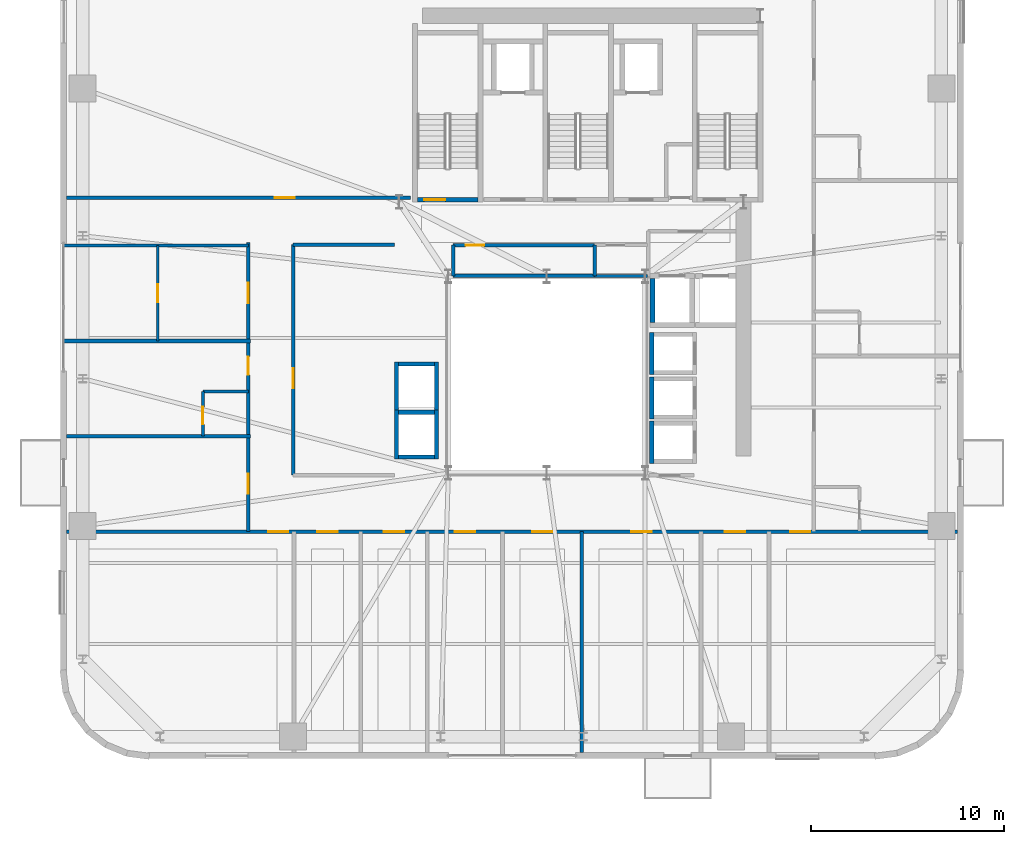
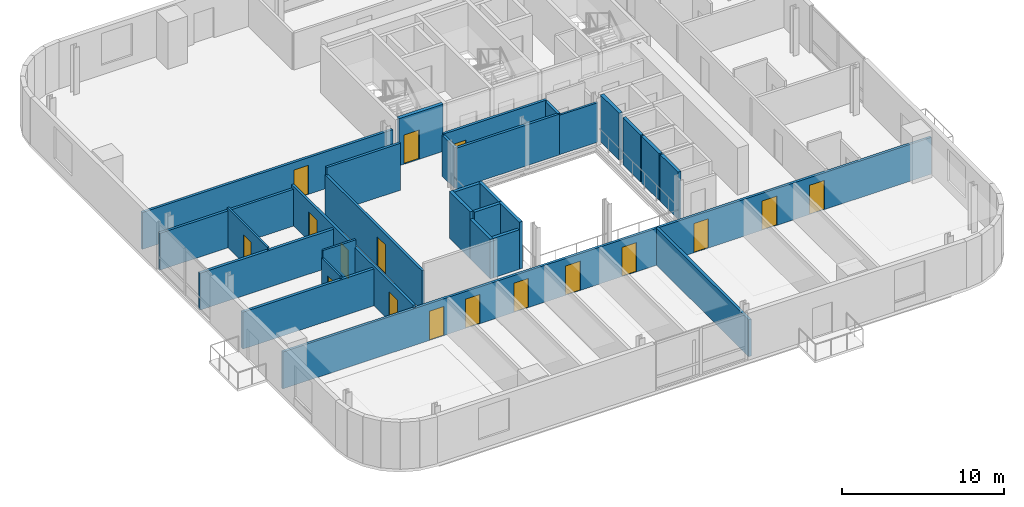
# One storey, part 8 of 16: 29 walls, 17 doors, 17 openings.
"""IFC4 building model written with IfcOpenShell, lengths in metres."""

from ifc_helpers import new_model, si_unit, direction, frame, frame_2d, origin, place, context, subcontext, project, spatial, rectangle, extrude, source, transform, mapped, material, layer, layer_set, type_object, element, fill, save


model = new_model("IFC4")

# Units and contexts
model_context = context("Model", 3, precision=1e-05, world=origin(), true_north=direction((0.0, 1.0)))
body_context = subcontext(model_context, "Body", "Model", "MODEL_VIEW")
ifc_project = project(units=[si_unit("LENGTHUNIT", "METRE"), si_unit("AREAUNIT", "SQUARE_METRE"), si_unit("VOLUMEUNIT", "CUBIC_METRE"), si_unit("PLANEANGLEUNIT", "RADIAN"), si_unit("MASSUNIT", "GRAM", prefix="KILO")], contexts=[model_context])

# Site, building, storey
site_placement = place(None, origin())
site = spatial("IfcSite", under=ifc_project, at=site_placement, CompositionType="ELEMENT")
building_placement = place(site_placement, origin())
building = spatial("IfcBuilding", under=site, at=building_placement, Name="Vardaveli Station Tower", CompositionType="ELEMENT")
storey_placement = place(building_placement, frame((0.0, 0.0, 222.300048828125)))
storey = spatial("IfcBuildingStorey", under=building, at=storey_placement, Name="L57", CompositionType="ELEMENT", Elevation=222.300048828125)

# Wall, opening, door
ifc_material_1 = material(Name="Concrete C40/50", Category="concrete")
ifc_layer_1 = layer(ifc_material_1, 0.25, Name="Concrete C40/50")
ifc_layer_set_1 = layer_set([ifc_layer_1], Name="Concrete C40/50")
wall_type_1 = type_object("IfcWallType", Name="WAL-SHAFT-250", PredefinedType="SOLIDWALL", material=ifc_layer_set_1)
shared_shape_1 = source(origin(), body_context, "Body", "SweptSolid", [
    extrude(rectangle(XDim=3.14990234375, YDim=0.25, at=frame_2d((1.574951171875, 0.0))), origin(), (0.0, 0.0, 1.0), 3.550048828125),
])
wall_1_placement = place(storey_placement, frame((29.60009765625, 30.77490234375, 0.0), z_axis=(0.0, 0.0, 1.0), x_axis=(1.0, 0.0, 0.0)))
wall_1 = element("IfcWall", 1, at=wall_1_placement, inside=storey, type_object=wall_type_1, Name="W-L57-ST-1S", PredefinedType="SOLIDWALL", context=body_context, shape_type="MappedRepresentation", body=[
    mapped(shared_shape_1, transform((0.0, 0.0, 0.0), scale=1.0)),
])
shared_shape_2 = source(origin(), body_context, "Body", "SweptSolid", [
    extrude(rectangle(XDim=1.10009765625, YDim=2.199951171875, at=frame_2d((0.550048828125, 1.10009765625))), frame((0.0, 0.135009765625, 0.0), z_axis=(0.0, -1.0, 0.0), x_axis=(1.0, 0.0, 0.0)), (0.0, 0.0, 1.0), 0.27001953125),
])
opening_1_placement = place(wall_1_placement, frame((0.35009765625, 0.0, 0.0)))
opening_1 = element("IfcOpeningElement", 2, at=opening_1_placement, cuts=wall_1, Name="Opening D-04", PredefinedType="OPENING", context=body_context, shape_type="MappedRepresentation", body=[
    mapped(shared_shape_2, transform((0.0, 0.0, 0.0), scale=1.0)),
])
ifc_material_2 = material(Name="Steel smokeproof fire doorset", Category="steel")
door_type_1 = type_object("IfcDoorType", Name="DR-ST-1100x2200", OperationType="NOTDEFINED", PredefinedType="DOOR", material=ifc_material_2)
shared_shape_3 = source(origin(), body_context, "Body", "SweptSolid", [
    extrude(rectangle(XDim=1.10009765625, YDim=2.199951171875, at=frame_2d((0.550048828125, 1.10009765625))), frame((0.0, 0.02490234375, 0.0), z_axis=(0.0, -1.0, 0.0), x_axis=(1.0, 0.0, 0.0)), (0.0, 0.0, 1.0), 0.050048828125),
])
door_1_placement = place(opening_1_placement, origin())
door_1 = element("IfcDoor", 3, at=door_1_placement, inside=storey, type_object=door_type_1, Name="DST-1-L57", OperationType="SINGLE_SWING_LEFT", OverallHeight=2.199951171875, OverallWidth=1.10009765625, PredefinedType="DOOR", context=body_context, shape_type="MappedRepresentation", body=[
    mapped(shared_shape_3, transform((0.0, 0.0, 0.0), scale=1.0)),
])
fill(opening_1, door_1)

# Walls
ifc_layer_2 = layer(ifc_material_1, 0.219970703125, Name="Concrete C40/50")
ifc_layer_set_2 = layer_set([ifc_layer_2], Name="Concrete C40/50")
wall_type_2 = type_object("IfcWallType", Name="WAL-FFLOBBY-220", PredefinedType="SOLIDWALL", material=ifc_layer_set_2)
shared_shape_4 = source(origin(), body_context, "Body", "SweptSolid", [
    extrude(rectangle(XDim=2.18994140625, YDim=0.219970703125, at=frame_2d((1.094970703125, 0.0))), origin(), (0.0, 0.0, 1.0), 3.530029296875),
])
for number, where, z_axis, x_axis, name in (
    (4, (41.739990234375, 21.705078125, 0.0), (0.0, 0.0, 1.0), (0.0, 1.0, 0.0), "SHW-HL3-01-L57-W"),
    (5, (41.739990234375, 19.405029296875, 0.0), (0.0, 0.0, 1.0), (0.0, 1.0, 0.0), "SHW-HL3-02-L57-W"),
    (6, (41.739990234375, 17.10498046875, 0.0), (0.0, 0.0, 1.0), (0.0, 1.0, 0.0), "SHW-HL3-03-L57-W"),
):
    element("IfcWall", number, at=place(storey_placement, frame(where, z_axis=z_axis, x_axis=x_axis)), inside=storey, type_object=wall_type_2, Name=name, PredefinedType="SOLIDWALL", context=body_context, shape_type="MappedRepresentation", body=[
        mapped(shared_shape_4, transform((0.0, 0.0, 0.0), scale=1.0)),
    ])
shared_shape_5 = source(origin(), body_context, "Body", "SweptSolid", [
    extrude(rectangle(XDim=1.85009765625, YDim=0.219970703125, at=frame_2d((0.925048828125, 0.0))), origin(), (0.0, 0.0, 1.0), 2.971923828125),
])
wall_2_placement = place(storey_placement, frame((28.625, 17.43994140625, 0.0), z_axis=(0.0, 0.0, 1.0), x_axis=(1.0, 0.0, 0.0)))
element("IfcWall", 7, at=wall_2_placement, inside=storey, type_object=wall_type_2, Name="SHW-OBS-01-L57-S", PredefinedType="SOLIDWALL", context=body_context, shape_type="MappedRepresentation", body=[
    mapped(shared_shape_5, transform((0.0, 0.0, 0.0), scale=1.0)),
])
shared_shape_6 = source(origin(), body_context, "Body", "SweptSolid", [
    extrude(rectangle(XDim=1.85009765625, YDim=0.219970703125, at=frame_2d((0.925048828125, 0.0))), origin(), (0.0, 0.0, 1.0), 3.530029296875),
])
for number, where, z_axis, x_axis, name in (
    (8, (28.625, 19.760009765625, 0.0), (0.0, 0.0, 1.0), (1.0, 0.0, 0.0), "SHW-OBS-01-L57-N"),
    (9, (28.625, 22.260009765625, 0.0), (0.0, 0.0, 1.0), (1.0, 0.0, 0.0), "SHW-OBS-02-L57-N"),
):
    element("IfcWall", number, at=place(storey_placement, frame(where, z_axis=z_axis, x_axis=x_axis)), inside=storey, type_object=wall_type_2, Name=name, PredefinedType="SOLIDWALL", context=body_context, shape_type="MappedRepresentation", body=[
        mapped(shared_shape_6, transform((0.0, 0.0, 0.0), scale=1.0)),
    ])
shared_shape_7 = source(origin(), body_context, "Body", "SweptSolid", [
    extrude(rectangle(XDim=2.5400390625, YDim=0.219970703125, at=frame_2d((1.27001953125, 0.0))), origin(), (0.0, 0.0, 1.0), 2.971923828125),
])
wall_3_placement = place(storey_placement, frame((28.514892578125, 17.330078125, 0.0), z_axis=(0.0, 0.0, 1.0), x_axis=(0.0, 1.0, 0.0)))
element("IfcWall", 10, at=wall_3_placement, inside=storey, type_object=wall_type_2, Name="SHW-OBS-01-L57-W", PredefinedType="SOLIDWALL", context=body_context, shape_type="MappedRepresentation", body=[
    mapped(shared_shape_7, transform((0.0, 0.0, 0.0), scale=1.0)),
])
shared_shape_8 = source(origin(), body_context, "Body", "SweptSolid", [
    extrude(rectangle(XDim=2.5400390625, YDim=0.219970703125, at=frame_2d((1.27001953125, 0.0))), origin(), (0.0, 0.0, 1.0), 3.530029296875),
])
for number, where, z_axis, x_axis, name in (
    (11, (30.5849609375, 17.330078125, 0.0), (0.0, 0.0, 1.0), (0.0, 1.0, 0.0), "SHW-OBS-01-L57-E"),
    (12, (28.514892578125, 19.830078125, 0.0), (0.0, 0.0, 1.0), (0.0, 1.0, 0.0), "SHW-OBS-02-L57-W"),
    (13, (30.5849609375, 19.830078125, 0.0), (0.0, 0.0, 1.0), (0.0, 1.0, 0.0), "SHW-OBS-02-L57-E"),
):
    element("IfcWall", number, at=place(storey_placement, frame(where, z_axis=z_axis, x_axis=x_axis)), inside=storey, type_object=wall_type_2, Name=name, PredefinedType="SOLIDWALL", context=body_context, shape_type="MappedRepresentation", body=[
        mapped(shared_shape_8, transform((0.0, 0.0, 0.0), scale=1.0)),
    ])
shared_shape_9 = source(origin(), body_context, "Body", "SweptSolid", [
    extrude(rectangle(XDim=2.300048828125, YDim=0.25, at=frame_2d((1.14990234375, 0.0))), origin(), (0.0, 0.0, 1.0), 3.530029296875),
])
wall_4_placement = place(storey_placement, frame((41.77490234375, 24.39990234375, 0.0), z_axis=(0.0, 0.0, 1.0), x_axis=(0.0, 1.0, 0.0)))
element("IfcWall", 14, at=wall_4_placement, inside=storey, type_object=wall_type_1, Name="SHW-SRV-01-L57-W", PredefinedType="SOLIDWALL", context=body_context, shape_type="MappedRepresentation", body=[
    mapped(shared_shape_9, transform((0.0, 0.0, 0.0), scale=1.0)),
])

# Wall, openings, doors
ifc_material_3 = material(Name="Fire-rated gypsum stud partition")
ifc_layer_3 = layer(ifc_material_3, 0.179931640625, Name="Fire-rated gypsum stud partition")
ifc_layer_set_3 = layer_set([ifc_layer_3], Name="Fire-rated gypsum stud partition")
wall_type_3 = type_object("IfcWallType", Name="WAL-CORR-180", PredefinedType="PARTITIONING", material=ifc_layer_set_3)
shared_shape_10 = source(origin(), body_context, "Body", "SweptSolid", [
    extrude(rectangle(XDim=46.15576171875, YDim=0.179931640625, at=frame_2d((23.077880859375, 0.0))), origin(), (0.0, 0.0, 1.0), 2.77197265625),
])
wall_5_placement = place(storey_placement, frame((11.422119140625, 13.570068359375, 0.0), z_axis=(0.0, 0.0, 1.0), x_axis=(1.0, 0.0, 0.0)))
wall_5 = element("IfcWall", 15, at=wall_5_placement, inside=storey, type_object=wall_type_3, Name="W-L57-CS", PredefinedType="PARTITIONING", context=body_context, shape_type="MappedRepresentation", body=[
    mapped(shared_shape_10, transform((0.0, 0.0, 0.0), scale=1.0)),
])
shared_shape_11 = source(origin(), body_context, "Body", "SweptSolid", [
    extrude(rectangle(XDim=1.050048828125, YDim=2.199951171875, at=frame_2d((0.52490234375, 1.10009765625))), frame((0.0, 0.10009765625, 0.0), z_axis=(0.0, -1.0, 0.0), x_axis=(1.0, 0.0, 0.0)), (0.0, 0.0, 1.0), 0.199951171875),
])
opening_2_placement = place(wall_5_placement, frame((10.43798828125, 0.0, 0.0)))
opening_2 = element("IfcOpeningElement", 16, at=opening_2_placement, cuts=wall_5, Name="Opening D-05", PredefinedType="OPENING", context=body_context, shape_type="MappedRepresentation", body=[
    mapped(shared_shape_11, transform((0.0, 0.0, 0.0), scale=1.0)),
])
opening_3_placement = place(wall_5_placement, frame((12.992919921875, 0.0, 0.0)))
opening_3 = element("IfcOpeningElement", 17, at=opening_3_placement, cuts=wall_5, Name="Opening D-05", PredefinedType="OPENING", context=body_context, shape_type="MappedRepresentation", body=[
    mapped(shared_shape_11, transform((0.0, 0.0, 0.0), scale=1.0)),
])
opening_4_placement = place(wall_5_placement, frame((16.443115234375, 0.0, 0.0)))
opening_4 = element("IfcOpeningElement", 18, at=opening_4_placement, cuts=wall_5, Name="Opening D-05", PredefinedType="OPENING", context=body_context, shape_type="MappedRepresentation", body=[
    mapped(shared_shape_11, transform((0.0, 0.0, 0.0), scale=1.0)),
])
opening_5_placement = place(wall_5_placement, frame((20.12060546875, 0.0, 0.0)))
opening_5 = element("IfcOpeningElement", 19, at=opening_5_placement, cuts=wall_5, Name="Opening D-05", PredefinedType="OPENING", context=body_context, shape_type="MappedRepresentation", body=[
    mapped(shared_shape_11, transform((0.0, 0.0, 0.0), scale=1.0)),
])
opening_6_placement = place(wall_5_placement, frame((24.123779296875, 0.0, 0.0)))
opening_6 = element("IfcOpeningElement", 20, at=opening_6_placement, cuts=wall_5, Name="Opening D-05", PredefinedType="OPENING", context=body_context, shape_type="MappedRepresentation", body=[
    mapped(shared_shape_11, transform((0.0, 0.0, 0.0), scale=1.0)),
])
opening_7_placement = place(wall_5_placement, frame((29.260986328125, 0.0, 0.0)))
opening_7 = element("IfcOpeningElement", 21, at=opening_7_placement, cuts=wall_5, Name="Opening D-05", PredefinedType="OPENING", context=body_context, shape_type="MappedRepresentation", body=[
    mapped(shared_shape_11, transform((0.0, 0.0, 0.0), scale=1.0)),
])
opening_8_placement = place(wall_5_placement, frame((34.11279296875, 0.0, 0.0)))
opening_8 = element("IfcOpeningElement", 22, at=opening_8_placement, cuts=wall_5, Name="Opening D-05", PredefinedType="OPENING", context=body_context, shape_type="MappedRepresentation", body=[
    mapped(shared_shape_11, transform((0.0, 0.0, 0.0), scale=1.0)),
])
opening_9_placement = place(wall_5_placement, frame((37.498046875, 0.0, 0.0)))
opening_9 = element("IfcOpeningElement", 23, at=opening_9_placement, cuts=wall_5, Name="Opening D-05", PredefinedType="OPENING", context=body_context, shape_type="MappedRepresentation", body=[
    mapped(shared_shape_11, transform((0.0, 0.0, 0.0), scale=1.0)),
])
ifc_material_4 = material(Name="Walnut veneer acoustic fire door")
door_type_2 = type_object("IfcDoorType", Name="DR-SUITE-1050x2200", OperationType="NOTDEFINED", PredefinedType="DOOR", material=ifc_material_4)
shared_shape_12 = source(origin(), body_context, "Body", "SweptSolid", [
    extrude(rectangle(XDim=1.050048828125, YDim=2.199951171875, at=frame_2d((0.52490234375, 1.10009765625))), frame((0.0, 0.02490234375, 0.0), z_axis=(0.0, -1.0, 0.0), x_axis=(1.0, 0.0, 0.0)), (0.0, 0.0, 1.0), 0.050048828125),
])
door_2_placement = place(opening_2_placement, origin())
door_2 = element("IfcDoor", 24, at=door_2_placement, inside=storey, type_object=door_type_2, Name="D-L57-SA1", OperationType="SINGLE_SWING_LEFT", OverallHeight=2.199951171875, OverallWidth=1.050048828125, PredefinedType="DOOR", context=body_context, shape_type="MappedRepresentation", body=[
    mapped(shared_shape_12, transform((0.0, 0.0, 0.0), scale=1.0)),
])
fill(opening_2, door_2)
door_3_placement = place(opening_3_placement, origin())
door_3 = element("IfcDoor", 25, at=door_3_placement, inside=storey, type_object=door_type_2, Name="D-L57-SA2", OperationType="SINGLE_SWING_RIGHT", OverallHeight=2.199951171875, OverallWidth=1.050048828125, PredefinedType="DOOR", context=body_context, shape_type="MappedRepresentation", body=[
    mapped(shared_shape_12, transform((0.0, 0.0, 0.0), scale=1.0)),
])
fill(opening_3, door_3)
door_4_placement = place(opening_4_placement, origin())
door_4 = element("IfcDoor", 26, at=door_4_placement, inside=storey, type_object=door_type_2, Name="D-L57-SA3", OperationType="SINGLE_SWING_LEFT", OverallHeight=2.199951171875, OverallWidth=1.050048828125, PredefinedType="DOOR", context=body_context, shape_type="MappedRepresentation", body=[
    mapped(shared_shape_12, transform((0.0, 0.0, 0.0), scale=1.0)),
])
fill(opening_4, door_4)
door_5_placement = place(opening_5_placement, origin())
door_5 = element("IfcDoor", 27, at=door_5_placement, inside=storey, type_object=door_type_2, Name="D-L57-SA4", OperationType="SINGLE_SWING_RIGHT", OverallHeight=2.199951171875, OverallWidth=1.050048828125, PredefinedType="DOOR", context=body_context, shape_type="MappedRepresentation", body=[
    mapped(shared_shape_12, transform((0.0, 0.0, 0.0), scale=1.0)),
])
fill(opening_5, door_5)
door_6_placement = place(opening_6_placement, origin())
door_6 = element("IfcDoor", 28, at=door_6_placement, inside=storey, type_object=door_type_2, Name="D-L57-SA5", OperationType="SINGLE_SWING_LEFT", OverallHeight=2.199951171875, OverallWidth=1.050048828125, PredefinedType="DOOR", context=body_context, shape_type="MappedRepresentation", body=[
    mapped(shared_shape_12, transform((0.0, 0.0, 0.0), scale=1.0)),
])
fill(opening_6, door_6)
door_7_placement = place(opening_7_placement, origin())
door_7 = element("IfcDoor", 29, at=door_7_placement, inside=storey, type_object=door_type_2, Name="D-L57-SA6", OperationType="SINGLE_SWING_RIGHT", OverallHeight=2.199951171875, OverallWidth=1.050048828125, PredefinedType="DOOR", context=body_context, shape_type="MappedRepresentation", body=[
    mapped(shared_shape_12, transform((0.0, 0.0, 0.0), scale=1.0)),
])
fill(opening_7, door_7)
door_8_placement = place(opening_8_placement, origin())
door_8 = element("IfcDoor", 30, at=door_8_placement, inside=storey, type_object=door_type_2, Name="D-L57-SA7", OperationType="SINGLE_SWING_LEFT", OverallHeight=2.199951171875, OverallWidth=1.050048828125, PredefinedType="DOOR", context=body_context, shape_type="MappedRepresentation", body=[
    mapped(shared_shape_12, transform((0.0, 0.0, 0.0), scale=1.0)),
])
fill(opening_8, door_8)
door_9_placement = place(opening_9_placement, origin())
door_9 = element("IfcDoor", 31, at=door_9_placement, inside=storey, type_object=door_type_2, Name="D-L57-SA8", OperationType="SINGLE_SWING_RIGHT", OverallHeight=2.199951171875, OverallWidth=1.050048828125, PredefinedType="DOOR", context=body_context, shape_type="MappedRepresentation", body=[
    mapped(shared_shape_12, transform((0.0, 0.0, 0.0), scale=1.0)),
])
fill(opening_9, door_9)

# Wall, opening, door
shared_shape_13 = source(origin(), body_context, "Body", "SweptSolid", [
    extrude(rectangle(XDim=17.827880859375, YDim=0.179931640625, at=frame_2d((8.9140625, 0.0))), origin(), (0.0, 0.0, 1.0), 2.77197265625),
])
wall_6_placement = place(storey_placement, frame((11.422119140625, 30.8798828125, 0.0), z_axis=(0.0, 0.0, 1.0), x_axis=(1.0, 0.0, 0.0)))
wall_6 = element("IfcWall", 32, at=wall_6_placement, inside=storey, type_object=wall_type_3, Name="W-L57-CNWS", PredefinedType="PARTITIONING", context=body_context, shape_type="MappedRepresentation", body=[
    mapped(shared_shape_13, transform((0.0, 0.0, 0.0), scale=1.0)),
])
opening_10_placement = place(wall_6_placement, frame((10.778076171875, 0.0, 0.0)))
opening_10 = element("IfcOpeningElement", 33, at=opening_10_placement, cuts=wall_6, Name="Opening D-05", PredefinedType="OPENING", context=body_context, shape_type="MappedRepresentation", body=[
    mapped(shared_shape_11, transform((0.0, 0.0, 0.0), scale=1.0)),
])
door_10_placement = place(opening_10_placement, origin())
door_10 = element("IfcDoor", 34, at=door_10_placement, inside=storey, type_object=door_type_2, Name="D-L57-GNW1", OperationType="SINGLE_SWING_LEFT", OverallHeight=2.199951171875, OverallWidth=1.050048828125, PredefinedType="DOOR", context=body_context, shape_type="MappedRepresentation", body=[
    mapped(shared_shape_12, transform((0.0, 0.0, 0.0), scale=1.0)),
])
fill(opening_10, door_10)

ifc_material_5 = material(Name="Moisture-resistant stud partition")
ifc_layer_4 = layer(ifc_material_5, 0.14990234375, Name="Moisture-resistant stud partition")
ifc_layer_set_4 = layer_set([ifc_layer_4], Name="Moisture-resistant stud partition")
wall_type_4 = type_object("IfcWallType", Name="WAL-WET-150", PredefinedType="PARTITIONING", material=ifc_layer_set_4)
shared_shape_14 = source(origin(), body_context, "Body", "SweptSolid", [
    extrude(rectangle(XDim=2.2900390625, YDim=0.14990234375, at=frame_2d((1.14501953125, 0.0))), origin(), (0.0, 0.0, 1.0), 2.971923828125),
])
wall_7_placement = place(storey_placement, frame((18.47998046875, 18.532958984375, 0.0), z_axis=(0.0, 0.0, 1.0), x_axis=(0.0, 1.0, 0.0)))
wall_7 = element("IfcWall", 35, at=wall_7_placement, inside=storey, type_object=wall_type_4, Name="W-L57-BW2-W", PredefinedType="PARTITIONING", context=body_context, shape_type="MappedRepresentation", body=[
    mapped(shared_shape_14, transform((0.0, 0.0, 0.0), scale=1.0)),
])
shared_shape_15 = source(origin(), body_context, "Body", "SweptSolid", [
    extrude(rectangle(XDim=0.89990234375, YDim=2.10009765625, at=frame_2d((0.449951171875, 1.050048828125))), frame((0.0, 0.0849609375, 0.0), z_axis=(0.0, -1.0, 0.0), x_axis=(1.0, 0.0, 0.0)), (0.0, 0.0, 1.0), 0.169921875),
])
opening_11_placement = place(wall_7_placement, frame((0.60009765625, 0.0, 0.0)))
opening_11 = element("IfcOpeningElement", 36, at=opening_11_placement, cuts=wall_7, Name="Opening D-08", PredefinedType="OPENING", context=body_context, shape_type="MappedRepresentation", body=[
    mapped(shared_shape_15, transform((0.0, 0.0, 0.0), scale=1.0)),
])
ifc_material_6 = material(Name="Moisture-resistant oak door")
door_type_3 = type_object("IfcDoorType", Name="DR-BATH-900x2100", OperationType="NOTDEFINED", PredefinedType="DOOR", material=ifc_material_6)
shared_shape_16 = source(origin(), body_context, "Body", "SweptSolid", [
    extrude(rectangle(XDim=0.89990234375, YDim=2.10009765625, at=frame_2d((0.449951171875, 1.050048828125))), frame((0.0, 0.02490234375, 0.0), z_axis=(0.0, -1.0, 0.0), x_axis=(1.0, 0.0, 0.0)), (0.0, 0.0, 1.0), 0.050048828125),
])
door_11_placement = place(opening_11_placement, origin())
door_11 = element("IfcDoor", 37, at=door_11_placement, inside=storey, type_object=door_type_3, Name="D-L57-BW2", OperationType="SINGLE_SWING_LEFT", OverallHeight=2.10009765625, OverallWidth=0.89990234375, PredefinedType="DOOR", context=body_context, shape_type="MappedRepresentation", body=[
    mapped(shared_shape_16, transform((0.0, 0.0, 0.0), scale=1.0)),
])
fill(opening_11, door_11)

# Walls
shared_shape_17 = source(origin(), body_context, "Body", "SweptSolid", [
    extrude(rectangle(XDim=2.360107421875, YDim=0.14990234375, at=frame_2d((1.18017578125, 0.0))), origin(), (0.0, 0.0, 1.0), 3.530029296875),
])
wall_8_placement = place(storey_placement, frame((18.47998046875, 20.822998046875, 0.0), z_axis=(0.0, 0.0, 1.0), x_axis=(1.0, 0.0, 0.0)))
element("IfcWall", 38, at=wall_8_placement, inside=storey, type_object=wall_type_4, Name="W-L57-BW2-N", PredefinedType="PARTITIONING", context=body_context, shape_type="MappedRepresentation", body=[
    mapped(shared_shape_17, transform((0.0, 0.0, 0.0), scale=1.0)),
])
shared_shape_18 = source(origin(), body_context, "Body", "SweptSolid", [
    extrude(rectangle(XDim=1.599853515625, YDim=0.179931640625, at=frame_2d((0.7998046875, 0.0))), origin(), (0.0, 0.0, 1.0), 3.072021484375),
])
for number, where, z_axis, x_axis, name in (
    (39, (31.449951171875, 26.820068359375, 0.0), (0.0, 0.0, 1.0), (0.0, 1.0, 0.0), "W-L57-HKP0-W"),
    (40, (38.780029296875, 26.820068359375, 0.0), (0.0, 0.0, 1.0), (0.0, 1.0, 0.0), "W-L57-HKP0-E"),
):
    element("IfcWall", number, at=place(storey_placement, frame(where, z_axis=z_axis, x_axis=x_axis)), inside=storey, type_object=wall_type_3, Name=name, PredefinedType="PARTITIONING", context=body_context, shape_type="MappedRepresentation", body=[
        mapped(shared_shape_18, transform((0.0, 0.0, 0.0), scale=1.0)),
    ])

# Wall, opening, door
shared_shape_19 = source(origin(), body_context, "Body", "SweptSolid", [
    extrude(rectangle(XDim=11.93994140625, YDim=0.179931640625, at=frame_2d((5.969970703125, 0.0))), origin(), (0.0, 0.0, 1.0), 2.971923828125),
])
wall_9_placement = place(storey_placement, frame((23.159912109375, 16.5, 0.0), z_axis=(0.0, 0.0, 1.0), x_axis=(0.0, 1.0, 0.0)))
wall_9 = element("IfcWall", 41, at=wall_9_placement, inside=storey, type_object=wall_type_3, Name="W-L57-ATW-W", PredefinedType="PARTITIONING", context=body_context, shape_type="MappedRepresentation", body=[
    mapped(shared_shape_19, transform((0.0, 0.0, 0.0), scale=1.0)),
])
opening_12_placement = place(wall_9_placement, frame((4.5, 0.0, 0.0)))
opening_12 = element("IfcOpeningElement", 42, at=opening_12_placement, cuts=wall_9, Name="Opening D-05", PredefinedType="OPENING", context=body_context, shape_type="MappedRepresentation", body=[
    mapped(shared_shape_11, transform((0.0, 0.0, 0.0), scale=1.0)),
])
door_12_placement = place(opening_12_placement, origin())
door_12 = element("IfcDoor", 43, at=door_12_placement, inside=storey, type_object=door_type_2, Name="D-L57-ATW1", OperationType="SINGLE_SWING_LEFT", OverallHeight=2.199951171875, OverallWidth=1.050048828125, PredefinedType="DOOR", context=body_context, shape_type="MappedRepresentation", body=[
    mapped(shared_shape_12, transform((0.0, 0.0, 0.0), scale=1.0)),
])
fill(opening_12, door_12)

shared_shape_20 = source(origin(), body_context, "Body", "SweptSolid", [
    extrude(rectangle(XDim=7.330078125, YDim=0.179931640625, at=frame_2d((3.6650390625, 0.0))), origin(), (0.0, 0.0, 1.0), 3.161865234375),
])
wall_10_placement = place(storey_placement, frame((31.449951171875, 28.419921875, 0.0), z_axis=(0.0, 0.0, 1.0), x_axis=(1.0, 0.0, 0.0)))
wall_10 = element("IfcWall", 44, at=wall_10_placement, inside=storey, type_object=wall_type_3, Name="W-L57-HKP0-N", PredefinedType="PARTITIONING", context=body_context, shape_type="MappedRepresentation", body=[
    mapped(shared_shape_20, transform((0.0, 0.0, 0.0), scale=1.0)),
])
shared_shape_21 = source(origin(), body_context, "Body", "SweptSolid", [
    extrude(rectangle(XDim=0.949951171875, YDim=2.14990234375, at=frame_2d((0.47509765625, 1.074951171875))), frame((0.0, 0.10009765625, 0.0), z_axis=(0.0, -1.0, 0.0), x_axis=(1.0, 0.0, 0.0)), (0.0, 0.0, 1.0), 0.199951171875),
])
opening_13_placement = place(wall_10_placement, frame((0.64990234375, 0.0, 0.0)))
opening_13 = element("IfcOpeningElement", 45, at=opening_13_placement, cuts=wall_10, Name="Opening D-06", PredefinedType="OPENING", context=body_context, shape_type="MappedRepresentation", body=[
    mapped(shared_shape_21, transform((0.0, 0.0, 0.0), scale=1.0)),
])
ifc_material_7 = material(Name="Oak veneer acoustic fire door")
door_type_4 = type_object("IfcDoorType", Name="DR-GUEST-950x2150", OperationType="NOTDEFINED", PredefinedType="DOOR", material=ifc_material_7)
shared_shape_22 = source(origin(), body_context, "Body", "SweptSolid", [
    extrude(rectangle(XDim=0.949951171875, YDim=2.14990234375, at=frame_2d((0.47509765625, 1.074951171875))), frame((0.0, 0.02490234375, 0.0), z_axis=(0.0, -1.0, 0.0), x_axis=(1.0, 0.0, 0.0)), (0.0, 0.0, 1.0), 0.050048828125),
])
door_13_placement = place(opening_13_placement, origin())
door_13 = element("IfcDoor", 46, at=door_13_placement, inside=storey, type_object=door_type_4, Name="D-L57-HKP", OperationType="SINGLE_SWING_RIGHT", OverallHeight=2.14990234375, OverallWidth=0.949951171875, PredefinedType="DOOR", context=body_context, shape_type="MappedRepresentation", body=[
    mapped(shared_shape_22, transform((0.0, 0.0, 0.0), scale=1.0)),
])
fill(opening_13, door_13)

# Wall, openings, doors
shared_shape_23 = source(origin(), body_context, "Body", "SweptSolid", [
    extrude(rectangle(XDim=14.97998046875, YDim=0.179931640625, at=frame_2d((7.489990234375, 0.0))), origin(), (0.0, 0.0, 1.0), 2.971923828125),
])
wall_11_placement = place(storey_placement, frame((20.840087890625, 13.570068359375, 0.0), z_axis=(0.0, 0.0, 1.0), x_axis=(0.0, 1.0, 0.0)))
wall_11 = element("IfcWall", 47, at=wall_11_placement, inside=storey, type_object=wall_type_3, Name="W-L57-CW", PredefinedType="PARTITIONING", context=body_context, shape_type="MappedRepresentation", body=[
    mapped(shared_shape_23, transform((0.0, 0.0, 0.0), scale=1.0)),
])
opening_14_placement = place(wall_11_placement, frame((1.95166015625, 0.0, 0.0)))
opening_14 = element("IfcOpeningElement", 48, at=opening_14_placement, cuts=wall_11, Name="Opening D-05", PredefinedType="OPENING", context=body_context, shape_type="MappedRepresentation", body=[
    mapped(shared_shape_11, transform((0.0, 0.0, 0.0), scale=1.0)),
])
opening_15_placement = place(wall_11_placement, frame((8.1201171875, 0.0, 0.0)))
opening_15 = element("IfcOpeningElement", 49, at=opening_15_placement, cuts=wall_11, Name="Opening D-06", PredefinedType="OPENING", context=body_context, shape_type="MappedRepresentation", body=[
    mapped(shared_shape_21, transform((0.0, 0.0, 0.0), scale=1.0)),
])
opening_16_placement = place(wall_11_placement, frame((11.83837890625, 0.0, 0.0)))
opening_16 = element("IfcOpeningElement", 50, at=opening_16_placement, cuts=wall_11, Name="Opening D-05", PredefinedType="OPENING", context=body_context, shape_type="MappedRepresentation", body=[
    mapped(shared_shape_11, transform((0.0, 0.0, 0.0), scale=1.0)),
])
door_14_placement = place(opening_14_placement, origin())
door_14 = element("IfcDoor", 51, at=door_14_placement, inside=storey, type_object=door_type_2, Name="D-L57-GW1", OperationType="SINGLE_SWING_RIGHT", OverallHeight=2.199951171875, OverallWidth=1.050048828125, PredefinedType="DOOR", context=body_context, shape_type="MappedRepresentation", body=[
    mapped(shared_shape_12, transform((0.0, 0.0, 0.0), scale=1.0)),
])
fill(opening_14, door_14)
door_15_placement = place(opening_16_placement, origin())
door_15 = element("IfcDoor", 52, at=door_15_placement, inside=storey, type_object=door_type_2, Name="D-L57-GW3", OperationType="SINGLE_SWING_RIGHT", OverallHeight=2.199951171875, OverallWidth=1.050048828125, PredefinedType="DOOR", context=body_context, shape_type="MappedRepresentation", body=[
    mapped(shared_shape_12, transform((0.0, 0.0, 0.0), scale=1.0)),
])
fill(opening_16, door_15)
door_16_placement = place(opening_15_placement, origin())
door_16 = element("IfcDoor", 53, at=door_16_placement, inside=storey, type_object=door_type_4, Name="D-L57-GW2", OperationType="SINGLE_SWING_LEFT", OverallHeight=2.14990234375, OverallWidth=0.949951171875, PredefinedType="DOOR", context=body_context, shape_type="MappedRepresentation", body=[
    mapped(shared_shape_22, transform((0.0, 0.0, 0.0), scale=1.0)),
])
fill(opening_15, door_16)

# Walls
ifc_material_8 = material(Name="Acoustic twin-stud gypsum partition")
ifc_layer_5 = layer(ifc_material_8, 0.199951171875, Name="Acoustic twin-stud gypsum partition")
ifc_layer_set_5 = layer_set([ifc_layer_5], Name="Acoustic twin-stud gypsum partition")
wall_type_5 = type_object("IfcWallType", Name="WAL-PARTY-200", PredefinedType="PARTITIONING", material=ifc_layer_set_5)
shared_shape_24 = source(origin(), body_context, "Body", "SweptSolid", [
    extrude(rectangle(XDim=11.447998046875, YDim=0.199951171875, at=frame_2d((5.72412109375, 0.0))), origin(), (0.0, 0.0, 1.0), 2.77197265625),
])
wall_12_placement = place(storey_placement, frame((38.116943359375, 2.1220703125, 0.0), z_axis=(0.0, 0.0, 1.0), x_axis=(0.0, 1.0, 0.0)))
element("IfcWall", 54, at=wall_12_placement, inside=storey, type_object=wall_type_5, Name="W-L57-PS5", PredefinedType="PARTITIONING", context=body_context, shape_type="MappedRepresentation", body=[
    mapped(shared_shape_24, transform((0.0, 0.0, 0.0), scale=1.0)),
])
shared_shape_25 = source(origin(), body_context, "Body", "SweptSolid", [
    extrude(rectangle(XDim=7.330078125, YDim=0.179931640625, at=frame_2d((3.6650390625, 0.0))), origin(), (0.0, 0.0, 1.0), 3.072021484375),
])
wall_13_placement = place(storey_placement, frame((31.449951171875, 26.820068359375, 0.0), z_axis=(0.0, 0.0, 1.0), x_axis=(1.0, 0.0, 0.0)))
element("IfcWall", 55, at=wall_13_placement, inside=storey, type_object=wall_type_3, Name="W-L57-HKP0-S", PredefinedType="PARTITIONING", context=body_context, shape_type="MappedRepresentation", body=[
    mapped(shared_shape_25, transform((0.0, 0.0, 0.0), scale=1.0)),
])
shared_shape_26 = source(origin(), body_context, "Body", "SweptSolid", [
    extrude(rectangle(XDim=2.739990234375, YDim=0.14990234375, at=frame_2d((1.3701171875, 0.0))), origin(), (0.0, 0.0, 1.0), 2.971923828125),
])
wall_14_placement = place(storey_placement, frame((38.780029296875, 26.820068359375, 0.0), z_axis=(0.0, 0.0, 1.0), x_axis=(1.0, 0.0, 0.0)))
element("IfcWall", 56, at=wall_14_placement, inside=storey, type_object=wall_type_4, Name="W-L57-WCA0-S", PredefinedType="PARTITIONING", context=body_context, shape_type="MappedRepresentation", body=[
    mapped(shared_shape_26, transform((0.0, 0.0, 0.0), scale=1.0)),
])

# Wall, opening, door
ifc_material_9 = material(Name="Gypsum board stud partition")
ifc_layer_6 = layer(ifc_material_9, 0.125, Name="Gypsum board stud partition")
ifc_layer_set_6 = layer_set([ifc_layer_6], Name="Gypsum board stud partition")
wall_type_6 = type_object("IfcWallType", Name="WAL-INT-125", PredefinedType="PARTITIONING", material=ifc_layer_set_6)
shared_shape_27 = source(origin(), body_context, "Body", "SweptSolid", [
    extrude(rectangle(XDim=4.94287109375, YDim=0.125, at=frame_2d((2.471435546875, 0.0))), origin(), (0.0, 0.0, 1.0), 2.971923828125),
])
wall_15_placement = place(storey_placement, frame((16.14501953125, 23.45703125, 0.0), z_axis=(0.0, 0.0, 1.0), x_axis=(0.0, 1.0, 0.0)))
wall_15 = element("IfcWall", 57, at=wall_15_placement, inside=storey, type_object=wall_type_6, Name="W-L57-WCM3", PredefinedType="PARTITIONING", context=body_context, shape_type="MappedRepresentation", body=[
    mapped(shared_shape_27, transform((0.0, 0.0, 0.0), scale=1.0)),
])
shared_shape_28 = source(origin(), body_context, "Body", "SweptSolid", [
    extrude(rectangle(XDim=0.949951171875, YDim=2.14990234375, at=frame_2d((0.47509765625, 1.074951171875))), frame((0.0, 0.072509765625, 0.0), z_axis=(0.0, -1.0, 0.0), x_axis=(1.0, 0.0, 0.0)), (0.0, 0.0, 1.0), 0.14501953125),
])
opening_17_placement = place(wall_15_placement, frame((1.99169921875, 0.0, 0.0)))
opening_17 = element("IfcOpeningElement", 58, at=opening_17_placement, cuts=wall_15, Name="Opening D-11", PredefinedType="OPENING", context=body_context, shape_type="MappedRepresentation", body=[
    mapped(shared_shape_28, transform((0.0, 0.0, 0.0), scale=1.0)),
])
ifc_material_10 = material(Name="Oak veneer internal suite door")
door_type_5 = type_object("IfcDoorType", Name="DR-INT-950x2150", OperationType="NOTDEFINED", PredefinedType="DOOR", material=ifc_material_10)
door_17_placement = place(opening_17_placement, origin())
door_17 = element("IfcDoor", 59, at=door_17_placement, inside=storey, type_object=door_type_5, Name="D-L57-GWF3", OperationType="SINGLE_SWING_LEFT", OverallHeight=2.14990234375, OverallWidth=0.949951171875, PredefinedType="DOOR", context=body_context, shape_type="MappedRepresentation", body=[
    mapped(shared_shape_22, transform((0.0, 0.0, 0.0), scale=1.0)),
])
fill(opening_17, door_17)

# Walls
shared_shape_29 = source(origin(), body_context, "Body", "SweptSolid", [
    extrude(rectangle(XDim=9.517822265625, YDim=0.199951171875, at=frame_2d((4.7587890625, 0.0))), origin(), (0.0, 0.0, 1.0), 2.77197265625),
])
wall_16_placement = place(storey_placement, frame((11.422119140625, 18.512939453125, 0.0), z_axis=(0.0, 0.0, 1.0), x_axis=(1.0, 0.0, 0.0)))
element("IfcWall", 60, at=wall_16_placement, inside=storey, type_object=wall_type_5, Name="W-L57-PW1", PredefinedType="PARTITIONING", context=body_context, shape_type="MappedRepresentation", body=[
    mapped(shared_shape_29, transform((0.0, 0.0, 0.0), scale=1.0)),
])
shared_shape_30 = source(origin(), body_context, "Body", "SweptSolid", [
    extrude(rectangle(XDim=9.7099609375, YDim=0.199951171875, at=frame_2d((4.85498046875, 0.0))), origin(), (0.0, 0.0, 1.0), 2.77197265625),
])
wall_17_placement = place(storey_placement, frame((11.22998046875, 23.45703125, 0.0), z_axis=(0.0, 0.0, 1.0), x_axis=(1.0, 0.0, 0.0)))
element("IfcWall", 61, at=wall_17_placement, inside=storey, type_object=wall_type_5, Name="W-L57-PW2", PredefinedType="PARTITIONING", context=body_context, shape_type="MappedRepresentation", body=[
    mapped(shared_shape_30, transform((0.0, 0.0, 0.0), scale=1.0)),
])
shared_shape_31 = source(origin(), body_context, "Body", "SweptSolid", [
    extrude(rectangle(XDim=9.610107421875, YDim=0.179931640625, at=frame_2d((4.80517578125, 0.0))), origin(), (0.0, 0.0, 1.0), 2.77197265625),
])
wall_18_placement = place(storey_placement, frame((11.22998046875, 28.39990234375, 0.0), z_axis=(0.0, 0.0, 1.0), x_axis=(1.0, 0.0, 0.0)))
element("IfcWall", 62, at=wall_18_placement, inside=storey, type_object=wall_type_3, Name="W-L57-CWN", PredefinedType="PARTITIONING", context=body_context, shape_type="MappedRepresentation", body=[
    mapped(shared_shape_31, transform((0.0, 0.0, 0.0), scale=1.0)),
])
shared_shape_32 = source(origin(), body_context, "Body", "SweptSolid", [
    extrude(rectangle(XDim=5.239990234375, YDim=0.179931640625, at=frame_2d((2.6201171875, 0.0))), origin(), (0.0, 0.0, 1.0), 3.530029296875),
])
wall_19_placement = place(storey_placement, frame((23.159912109375, 28.43994140625, 0.0), z_axis=(0.0, 0.0, 1.0), x_axis=(1.0, 0.0, 0.0)))
element("IfcWall", 63, at=wall_19_placement, inside=storey, type_object=wall_type_3, Name="W-L57-ATW-N", PredefinedType="PARTITIONING", context=body_context, shape_type="MappedRepresentation", body=[
    mapped(shared_shape_32, transform((0.0, 0.0, 0.0), scale=1.0)),
])

save(model, "model.ifc")
